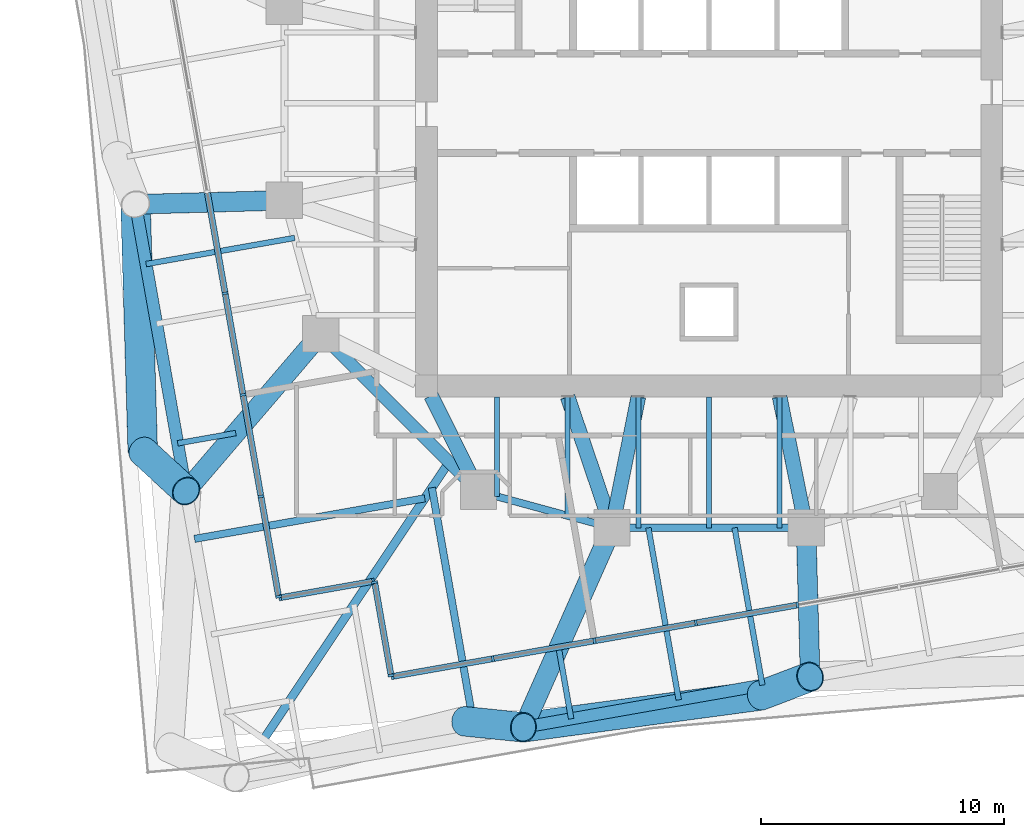
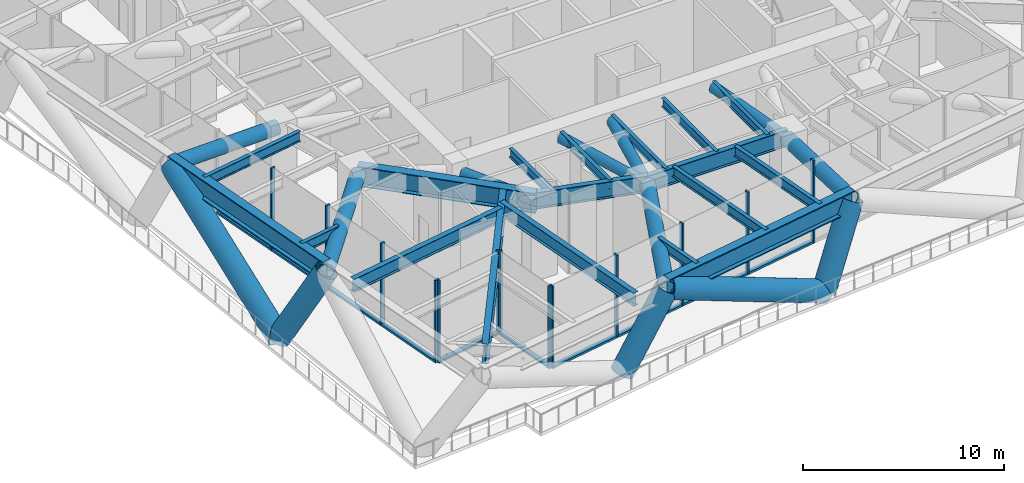
# One storey, part 2 of 15: 36 members, 18 beams, 4 elements without a shape of their own.
"""IFC4 building model written with IfcOpenShell, lengths in metres."""

from ifc_helpers import new_model, si_unit, direction, frame, origin, origin_2d, place, context, subcontext, project, spatial, rectangle, hollow_circle, i_section, extrude, material, material_profile, profile_set, type_object, element, aggregate, save


model = new_model("IFC4")

# Units and contexts
model_context = context("Model", 3, precision=1e-05, world=origin(), true_north=direction((0.0, 1.0)))
body_context = subcontext(model_context, "Body", "Model", "MODEL_VIEW")
ifc_project = project(units=[si_unit("LENGTHUNIT", "METRE"), si_unit("AREAUNIT", "SQUARE_METRE"), si_unit("VOLUMEUNIT", "CUBIC_METRE"), si_unit("PLANEANGLEUNIT", "RADIAN"), si_unit("MASSUNIT", "GRAM", prefix="KILO")], contexts=[model_context])

# Site, building, storey
site_placement = place(None, origin())
site = spatial("IfcSite", under=ifc_project, at=site_placement, CompositionType="ELEMENT")
building_placement = place(site_placement, origin())
building = spatial("IfcBuilding", under=site, at=building_placement, Name="Torsade Residences", CompositionType="ELEMENT")
storey_placement = place(building_placement, frame((0.0, 0.0, 74.39990234375)))
storey = spatial("IfcBuildingStorey", under=building, at=storey_placement, Name="L20", CompositionType="ELEMENT", Elevation=74.39990234375)

# Beams
ifc_material_1 = material(Name="Steel grade 300", Category="steel")
ifc_material_profile_1 = material_profile(ifc_material_1, i_section(OverallWidth=0.35009765625, OverallDepth=1.199951171875, WebThickness=0.01611328125, FlangeThickness=0.028076171875, at=origin_2d()), Name="1200WB278")
ifc_profile_set_1 = profile_set([ifc_material_profile_1], Name="Steel grade 300")
beam_type_1 = type_object("IfcBeamType", Name="CORNER GIRDER 1200WB278", PredefinedType="BEAM", material=ifc_profile_set_1)
beam_1_placement = place(storey_placement, frame((21.6474609375, 3.7900390625, 4.25), z_axis=(0.555847594236, 0.831284218533, 0.0), x_axis=(-0.831284218533, 0.555847594236, 0.0)))
element("IfcBeam", 1, at=beam_1_placement, inside=storey, type_object=beam_type_1, Name="Corner girder 01 L21", PredefinedType="BEAM", context=body_context, shape_type="SweptSolid", body=[
    extrude(i_section(OverallWidth=0.35009765625, OverallDepth=1.199951171875, WebThickness=0.01611328125, FlangeThickness=0.028076171875, at=origin_2d()), origin(), (0.0, 0.0, 1.0), 13.742431640625),
])
ifc_material_2 = material(Name="Steel grade 300", Category="steel")
ifc_material_profile_2 = material_profile(ifc_material_2, i_section(OverallWidth=0.208984375, OverallDepth=0.528076171875, WebThickness=0.009521484375, FlangeThickness=0.01318359375, FilletRadius=0.013916015625, at=origin_2d()), Name="530UB82.0")
ifc_profile_set_2 = profile_set([ifc_material_profile_2], Name="Steel grade 300")
beam_type_2 = type_object("IfcBeamType", Name="INNER FLOOR BEAM 530UB82.0", PredefinedType="JOIST", material=ifc_profile_set_2)
for number, where, z_axis, x_axis, name in (
    (2, (42.91259765625, 17.89990234375, 4.586181640625), (0.0, -1.0, 0.0), (1.0, 0.0, 0.0), "Inner floor beam IS03 L21"),
    (3, (40.0, 17.89990234375, 4.586181640625), (0.0, -1.0, 0.0), (1.0, 0.0, 0.0), "Inner floor beam IS04 L21"),
    (4, (37.08740234375, 17.89990234375, 4.586181640625), (0.0, -1.0, 0.0), (1.0, 0.0, 0.0), "Inner floor beam IS05 L21"),
):
    element("IfcBeam", number, at=place(storey_placement, frame(where, z_axis=z_axis, x_axis=x_axis)), inside=storey, type_object=beam_type_2, Name=name, PredefinedType="JOIST", context=body_context, shape_type="SweptSolid", body=[
        extrude(i_section(OverallWidth=0.208984375, OverallDepth=0.528076171875, WebThickness=0.009521484375, FlangeThickness=0.01318359375, FilletRadius=0.013916015625, at=origin_2d()), origin(), (0.0, 0.0, 1.0), 5.39990234375),
    ])
beam_2_placement = place(storey_placement, frame((34.175048828125, 17.89990234375, 4.586181640625), z_axis=(0.0, -1.0, 0.0), x_axis=(1.0, 0.0, 0.0)))
element("IfcBeam", 5, at=beam_2_placement, inside=storey, type_object=beam_type_2, Name="Inner floor beam IS06 L21", PredefinedType="JOIST", context=body_context, shape_type="SweptSolid", body=[
    extrude(i_section(OverallWidth=0.208984375, OverallDepth=0.528076171875, WebThickness=0.009521484375, FlangeThickness=0.01318359375, FilletRadius=0.013916015625, at=origin_2d()), origin(), (0.0, 0.0, 1.0), 4.902099609375),
])
beam_3_placement = place(storey_placement, frame((31.262451171875, 17.89990234375, 4.586181640625), z_axis=(0.0, -1.0, 0.0), x_axis=(1.0, 0.0, 0.0)))
element("IfcBeam", 6, at=beam_3_placement, inside=storey, type_object=beam_type_2, Name="Inner floor beam IS07 L21", PredefinedType="JOIST", context=body_context, shape_type="SweptSolid", body=[
    extrude(i_section(OverallWidth=0.208984375, OverallDepth=0.528076171875, WebThickness=0.009521484375, FlangeThickness=0.01318359375, FilletRadius=0.013916015625, at=origin_2d()), origin(), (0.0, 0.0, 1.0), 4.10791015625),
])
ifc_material_3 = material(Name="Steel grade 300", Category="steel")
ifc_material_profile_3 = material_profile(ifc_material_3, i_section(OverallWidth=0.5, OverallDepth=1.199951171875, WebThickness=0.01611328125, FlangeThickness=0.0400390625, at=origin_2d()), Name="1200WB455")
ifc_profile_set_3 = profile_set([ifc_material_profile_3], Name="Steel grade 300")
beam_type_3 = type_object("IfcBeamType", Name="RING CORNER GIRDER 1200WB455", PredefinedType="BEAM", material=ifc_profile_set_3)
beam_4_placement = place(storey_placement, frame((24.0, 20.5, 4.25), z_axis=(0.707106781187, -0.707106781187, 0.0), x_axis=(0.707106781187, 0.707106781187, 0.0)))
element("IfcBeam", 7, at=beam_4_placement, inside=storey, type_object=beam_type_3, Name="Ring girder IR11 L21", PredefinedType="BEAM", context=body_context, shape_type="SweptSolid", body=[
    extrude(i_section(OverallWidth=0.5, OverallDepth=1.199951171875, WebThickness=0.01611328125, FlangeThickness=0.0400390625, at=origin_2d()), origin(), (0.0, 0.0, 1.0), 9.1923828125),
])
ifc_material_4 = material(Name="Steel grade 300", Category="steel")
ifc_material_profile_4 = material_profile(ifc_material_4, i_section(OverallWidth=0.300048828125, OverallDepth=1.0, WebThickness=0.01611328125, FlangeThickness=0.028076171875, at=origin_2d()), Name="1000WB215")
ifc_profile_set_4 = profile_set([ifc_material_profile_4], Name="Steel grade 300")
beam_type_4 = type_object("IfcBeamType", Name="RING GIRDER 1000WB215", PredefinedType="BEAM", material=ifc_profile_set_4)
beam_5_placement = place(storey_placement, frame((30.5, 14.0, 4.35009765625), z_axis=(0.964763821238, -0.263117405792, 0.0), x_axis=(0.263117405792, 0.964763821238, 0.0)))
element("IfcBeam", 8, at=beam_5_placement, inside=storey, type_object=beam_type_4, Name="Ring girder IR12 L21", PredefinedType="BEAM", context=body_context, shape_type="SweptSolid", body=[
    extrude(i_section(OverallWidth=0.300048828125, OverallDepth=1.0, WebThickness=0.01611328125, FlangeThickness=0.028076171875, at=origin_2d()), origin(), (0.0, 0.0, 1.0), 5.700927734375),
])
beam_6_placement = place(storey_placement, frame((36.0, 12.5, 4.35009765625), z_axis=(1.0, 0.0, 0.0), x_axis=(0.0, 1.0, 0.0)))
element("IfcBeam", 9, at=beam_6_placement, inside=storey, type_object=beam_type_4, Name="Ring girder IR13 L21", PredefinedType="BEAM", context=body_context, shape_type="SweptSolid", body=[
    extrude(i_section(OverallWidth=0.300048828125, OverallDepth=1.0, WebThickness=0.01611328125, FlangeThickness=0.028076171875, at=origin_2d()), origin(), (0.0, 0.0, 1.0), 8.0),
])
ifc_material_5 = material(Name="Steel grade 300", Category="steel")
ifc_material_profile_5 = material_profile(ifc_material_5, i_section(OverallWidth=0.22900390625, OverallDepth=0.612060546875, WebThickness=0.011962890625, FlangeThickness=0.01953125, FilletRadius=0.013916015625, at=origin_2d()), Name="610UB125")
ifc_profile_set_5 = profile_set([ifc_material_profile_5], Name="Steel grade 300")
beam_type_5 = type_object("IfcBeamType", Name="SECONDARY BEAM 610UB125", PredefinedType="JOIST", material=ifc_profile_set_5)
beam_7_placement = place(storey_placement, frame((34.319580078125, 4.628173828125, 4.544189453125), z_axis=(-0.17370564578, 0.984797618104, 0.0), x_axis=(-0.984797618104, -0.17370564578, 0.0)))
element("IfcBeam", 10, at=beam_7_placement, inside=storey, type_object=beam_type_5, Name="Floor beam FS04 L21", PredefinedType="JOIST", context=body_context, shape_type="SweptSolid", body=[
    extrude(i_section(OverallWidth=0.22900390625, OverallDepth=0.612060546875, WebThickness=0.011962890625, FlangeThickness=0.01953125, FilletRadius=0.013916015625, at=origin_2d()), origin(), (0.0, 0.0, 1.0), 2.97119140625),
])
beam_8_placement = place(storey_placement, frame((38.751220703125, 5.40966796875, 4.544189453125), z_axis=(-0.173651855324, 0.984807104535, 0.0), x_axis=(-0.984807104535, -0.173651855324, 0.0)))
element("IfcBeam", 11, at=beam_8_placement, inside=storey, type_object=beam_type_5, Name="Floor beam FS05 L21", PredefinedType="JOIST", context=body_context, shape_type="SweptSolid", body=[
    extrude(i_section(OverallWidth=0.22900390625, OverallDepth=0.612060546875, WebThickness=0.011962890625, FlangeThickness=0.01953125, FilletRadius=0.013916015625, at=origin_2d()), origin(), (0.0, 0.0, 1.0), 7.19970703125),
])
beam_9_placement = place(storey_placement, frame((42.197998046875, 6.017333984375, 4.544189453125), z_axis=(-0.173647806501, 0.984807818459, 0.0), x_axis=(-0.984807818459, -0.173647806501, 0.0)))
element("IfcBeam", 12, at=beam_9_placement, inside=storey, type_object=beam_type_5, Name="Floor beam FS06 L21", PredefinedType="JOIST", context=body_context, shape_type="SweptSolid", body=[
    extrude(i_section(OverallWidth=0.22900390625, OverallDepth=0.612060546875, WebThickness=0.011962890625, FlangeThickness=0.01953125, FilletRadius=0.013916015625, at=origin_2d()), origin(), (0.0, 0.0, 1.0), 6.582763671875),
])
beam_10_placement = place(storey_placement, frame((16.798828125, 23.370361328125, 4.544189453125), z_axis=(0.984806474989, 0.173655425542, 0.0), x_axis=(-0.173655425542, 0.984806474989, 0.0)))
element("IfcBeam", 13, at=beam_10_placement, inside=storey, type_object=beam_type_5, Name="Floor beam FW07 L21", PredefinedType="JOIST", context=body_context, shape_type="SweptSolid", body=[
    extrude(i_section(OverallWidth=0.22900390625, OverallDepth=0.612060546875, WebThickness=0.011962890625, FlangeThickness=0.01953125, FilletRadius=0.013916015625, at=origin_2d()), origin(), (0.0, 0.0, 1.0), 6.21826171875),
])
beam_11_placement = place(storey_placement, frame((18.10107421875, 15.984375, 4.544189453125), z_axis=(0.984800736156, 0.173687967535, 0.0), x_axis=(-0.173687967535, 0.984800736156, 0.0)))
element("IfcBeam", 14, at=beam_11_placement, inside=storey, type_object=beam_type_5, Name="Floor beam FW09 L21", PredefinedType="JOIST", context=body_context, shape_type="SweptSolid", body=[
    extrude(i_section(OverallWidth=0.22900390625, OverallDepth=0.612060546875, WebThickness=0.011962890625, FlangeThickness=0.01953125, FilletRadius=0.013916015625, at=origin_2d()), origin(), (0.0, 0.0, 1.0), 2.431640625),
])
ifc_material_6 = material(Name="Steel grade 300", Category="steel")
ifc_material_profile_6 = material_profile(ifc_material_6, i_section(OverallWidth=0.300048828125, OverallDepth=0.800048828125, WebThickness=0.010009765625, FlangeThickness=0.02001953125, at=origin_2d()), Name="800WB146")
ifc_profile_set_6 = profile_set([ifc_material_profile_6], Name="Steel grade 300")
beam_type_6 = type_object("IfcBeamType", Name="SECONDARY BEAM 800WB146", PredefinedType="JOIST", material=ifc_profile_set_6)
beam_12_placement = place(storey_placement, frame((30.380126953125, 3.93359375, 4.4501953125), z_axis=(-0.173641751202, 0.98480888615, 0.0), x_axis=(-0.98480888615, -0.173641751202, 0.0)))
element("IfcBeam", 15, at=beam_12_placement, inside=storey, type_object=beam_type_6, Name="Floor beam FS03 L21", PredefinedType="JOIST", context=body_context, shape_type="SweptSolid", body=[
    extrude(i_section(OverallWidth=0.300048828125, OverallDepth=0.800048828125, WebThickness=0.010009765625, FlangeThickness=0.02001953125, at=origin_2d()), origin(), (0.0, 0.0, 1.0), 10.379150390625),
])
beam_13_placement = place(storey_placement, frame((18.795654296875, 12.045166015625, 4.4501953125), z_axis=(0.984809307086, 0.173639363846, 0.0), x_axis=(-0.173639363846, 0.984809307086, 0.0)))
element("IfcBeam", 16, at=beam_13_placement, inside=storey, type_object=beam_type_6, Name="Floor beam FW10 L21", PredefinedType="JOIST", context=body_context, shape_type="SweptSolid", body=[
    extrude(i_section(OverallWidth=0.300048828125, OverallDepth=0.800048828125, WebThickness=0.010009765625, FlangeThickness=0.02001953125, at=origin_2d()), origin(), (0.0, 0.0, 1.0), 9.636962890625),
])

# Members
ifc_material_7 = material(Name="Steel grade 450", Category="steel")
ifc_material_profile_7 = material_profile(ifc_material_7, hollow_circle(Radius=0.304931640625, WallThickness=0.01611328125, at=origin_2d()), Name="610.0x16.0CHS")
ifc_profile_set_7 = profile_set([ifc_material_profile_7], Name="Steel grade 450")
member_type_1 = type_object("IfcMemberType", Name="TRANSFER FLOOR BRACE 610.0x16.0CHS", PredefinedType="BRACE", material=ifc_profile_set_7)
member_1_placement = place(storey_placement, frame((30.5, 14.0, 4.25), z_axis=(-0.443105036702, 0.896469701914, 0.0), x_axis=(-0.896469701914, -0.443105036702, 0.0)))
element("IfcMember", 17, at=member_1_placement, inside=storey, type_object=member_type_1, Name="Transfer floor brace TT2 top IR12C", PredefinedType="BRACE", context=body_context, shape_type="SweptSolid", body=[
    extrude(hollow_circle(Radius=0.304931640625, WallThickness=0.01611328125, at=origin_2d()), origin(), (0.0, 0.0, 1.0), 4.40234375),
])
member_2_placement = place(storey_placement, frame((36.0, 12.5, 4.25), z_axis=(0.197299045909, 0.97976207845, 0.03375434957), x_axis=(-0.980320704809, 0.197411538983, 0.0)))
element("IfcMember", 18, at=member_2_placement, inside=storey, type_object=member_type_1, Name="Transfer floor brace TT2 top IR13IS05", PredefinedType="BRACE", context=body_context, shape_type="SweptSolid", body=[
    extrude(hollow_circle(Radius=0.304931640625, WallThickness=0.01611328125, at=origin_2d()), origin(), (0.0, 0.0, 1.0), 5.511474609375),
])
member_3_placement = place(storey_placement, frame((36.0, 12.5, 4.25), z_axis=(-0.319999474368, 0.946855969774, 0.032620682203), x_axis=(-0.947360151124, -0.320169867513, 0.0)))
element("IfcMember", 19, at=member_3_placement, inside=storey, type_object=member_type_1, Name="Transfer floor brace TT2 top IR13IS06", PredefinedType="BRACE", context=body_context, shape_type="SweptSolid", body=[
    extrude(hollow_circle(Radius=0.304931640625, WallThickness=0.01611328125, at=origin_2d()), origin(), (0.0, 0.0, 1.0), 5.702880859375),
])
member_4_placement = place(storey_placement, frame((44.0, 12.5, 4.25), z_axis=(-0.197299045909, 0.97976207845, 0.03375434957), x_axis=(-0.980320704809, -0.197411538983, 0.0)))
element("IfcMember", 20, at=member_4_placement, inside=storey, type_object=member_type_1, Name="Transfer floor brace TT2 top IR14IS03", PredefinedType="BRACE", context=body_context, shape_type="SweptSolid", body=[
    extrude(hollow_circle(Radius=0.304931640625, WallThickness=0.01611328125, at=origin_2d()), origin(), (0.0, 0.0, 1.0), 5.511474609375),
])
ifc_material_8 = material(Name="Steel grade 450", Category="steel")
ifc_material_profile_8 = material_profile(ifc_material_8, hollow_circle(Radius=0.406494140625, WallThickness=0.02490234375, at=origin_2d()), Name="813.0x25.0CHS")
ifc_profile_set_8 = profile_set([ifc_material_profile_8], Name="Steel grade 450")
member_type_2 = type_object("IfcMemberType", Name="TRANSFER FLOOR STRUT 813.0x25.0CHS", PredefinedType="STRUT", material=ifc_profile_set_8)
member_5_placement = place(storey_placement, frame((32.349853515625, 4.28076171875, 4.25), z_axis=(0.405873976228, 0.913929053822, 0.0), x_axis=(-0.913929053822, 0.405873976228, 0.0)))
element("IfcMember", 21, at=member_5_placement, inside=storey, type_object=member_type_2, Name="Transfer floor strut TT2 top 02IR13", PredefinedType="STRUT", context=body_context, shape_type="SweptSolid", body=[
    extrude(hollow_circle(Radius=0.406494140625, WallThickness=0.02490234375, at=origin_2d()), origin(), (0.0, 0.0, 1.0), 8.993408203125),
])
for number, where, z_axis, x_axis, name in (
    (22, (44.16748046875, 6.364501953125, 4.25), (-0.027286799774, 0.999627645955, 0.0), (-0.999627645955, -0.027286799774, 0.0), "Transfer floor strut TT2 top 03IR14"),
    (23, (16.364501953125, 25.83251953125, 4.25), (0.999627645955, 0.027286799774, 0.0), (-0.027286799774, 0.999627645955, 0.0), "Transfer floor strut TT2 top 15IR10"),
):
    element("IfcMember", number, at=place(storey_placement, frame(where, z_axis=z_axis, x_axis=x_axis)), inside=storey, type_object=member_type_2, Name=name, PredefinedType="STRUT", context=body_context, shape_type="SweptSolid", body=[
        extrude(hollow_circle(Radius=0.406494140625, WallThickness=0.02490234375, at=origin_2d()), origin(), (0.0, 0.0, 1.0), 6.1376953125),
    ])
member_6_placement = place(storey_placement, frame((18.448486328125, 14.0146484375, 4.25), z_axis=(0.650294298415, 0.759682384585, 0.0), x_axis=(-0.759682384585, 0.650294298415, 0.0)))
element("IfcMember", 24, at=member_6_placement, inside=storey, type_object=member_type_2, Name="Transfer floor strut TT2 top 16IR11", PredefinedType="STRUT", context=body_context, shape_type="SweptSolid", body=[
    extrude(hollow_circle(Radius=0.406494140625, WallThickness=0.02490234375, at=origin_2d()), origin(), (0.0, 0.0, 1.0), 8.536865234375),
])

# Curtain wall, members
ifc_material_9 = material(Name="Aluminium and glass", Category="aluminium")
curtain_wall_type = type_object("IfcCurtainWallType", Name="TRANSFER LEVEL CURTAIN WALL LOW ZONE", PredefinedType="NOTDEFINED", material=ifc_material_9)
curtain_wall_1_placement = place(storey_placement, origin())
curtain_wall_1 = element("IfcCurtainWall", 25, at=curtain_wall_1_placement, inside=storey, type_object=curtain_wall_type, Name="Curtain wall L20 face 1", PredefinedType="NOTDEFINED")
ifc_material_10 = material(Name="Aluminium mullion", Category="aluminium")
ifc_material_profile_9 = material_profile(ifc_material_10, rectangle(XDim=0.25, YDim=0.10009765625, at=origin_2d()), Name="TRANSFER LEVEL CURTAIN WALL MULLION 250x100")
ifc_profile_set_9 = profile_set([ifc_material_profile_9], Name="Aluminium mullion")
member_type_3 = type_object("IfcMemberType", Name="TRANSFER LEVEL CURTAIN WALL MULLION 250x100", PredefinedType="MULLION", material=ifc_profile_set_9)
member_7_placement = place(storey_placement, frame((26.9541015625, 6.375732421875, 0.0), z_axis=(0.0, 0.0, 1.0), x_axis=(-0.173648174504, 0.98480775357, 0.0)))
member_7 = element("IfcMember", 26, at=member_7_placement, type_object=member_type_3, Name="Mullion 1", PredefinedType="MULLION", context=body_context, shape_type="SweptSolid", body=[
    extrude(rectangle(XDim=0.25, YDim=0.10009765625, at=origin_2d()), origin(), (0.0, 0.0, 1.0), 5.0),
])
member_8_placement = place(storey_placement, frame((31.09033203125, 7.10498046875, 0.0), z_axis=(0.0, 0.0, 1.0), x_axis=(-0.173648174504, 0.98480775357, 0.0)))
member_8 = element("IfcMember", 27, at=member_8_placement, type_object=member_type_3, Name="Mullion 2", PredefinedType="MULLION", context=body_context, shape_type="SweptSolid", body=[
    extrude(rectangle(XDim=0.25, YDim=0.10009765625, at=origin_2d()), origin(), (0.0, 0.0, 1.0), 5.0),
])
member_9_placement = place(storey_placement, frame((35.275634765625, 7.843017578125, 0.0), z_axis=(0.0, 0.0, 1.0), x_axis=(-0.173648174504, 0.98480775357, 0.0)))
member_9 = element("IfcMember", 28, at=member_9_placement, type_object=member_type_3, Name="Mullion 3", PredefinedType="MULLION", context=body_context, shape_type="SweptSolid", body=[
    extrude(rectangle(XDim=0.25, YDim=0.10009765625, at=origin_2d()), origin(), (0.0, 0.0, 1.0), 5.0),
])
member_10_placement = place(storey_placement, frame((39.461181640625, 8.5810546875, 0.0), z_axis=(0.0, 0.0, 1.0), x_axis=(-0.173648174504, 0.98480775357, 0.0)))
member_10 = element("IfcMember", 29, at=member_10_placement, type_object=member_type_3, Name="Mullion 4", PredefinedType="MULLION", context=body_context, shape_type="SweptSolid", body=[
    extrude(rectangle(XDim=0.25, YDim=0.10009765625, at=origin_2d()), origin(), (0.0, 0.0, 1.0), 5.0),
])
member_11_placement = place(storey_placement, frame((43.646728515625, 9.319091796875, 0.0), z_axis=(0.0, 0.0, 1.0), x_axis=(-0.173648174504, 0.98480775357, 0.0)))
member_11 = element("IfcMember", 30, at=member_11_placement, type_object=member_type_3, Name="Mullion 5", PredefinedType="MULLION", context=body_context, shape_type="SweptSolid", body=[
    extrude(rectangle(XDim=0.25, YDim=0.10009765625, at=origin_2d()), origin(), (0.0, 0.0, 1.0), 5.0),
])

curtain_wall_2_placement = place(storey_placement, origin())
curtain_wall_2 = element("IfcCurtainWall", 31, at=curtain_wall_2_placement, inside=storey, type_object=curtain_wall_type, Name="Curtain wall L20 face 10", PredefinedType="NOTDEFINED")
member_12_placement = place(storey_placement, frame((20.05712890625, 22.16796875, 0.0), z_axis=(0.0, 0.0, 1.0), x_axis=(0.98480775357, 0.173648174504, 0.0)))
member_12 = element("IfcMember", 32, at=member_12_placement, type_object=member_type_3, Name="Mullion 6", PredefinedType="MULLION", context=body_context, shape_type="SweptSolid", body=[
    extrude(rectangle(XDim=0.25, YDim=0.10009765625, at=origin_2d()), origin(), (0.0, 0.0, 1.0), 5.0),
])
member_13_placement = place(storey_placement, frame((20.795166015625, 17.982421875, 0.0), z_axis=(0.0, 0.0, 1.0), x_axis=(0.98480775357, 0.173648174504, 0.0)))
member_13 = element("IfcMember", 33, at=member_13_placement, type_object=member_type_3, Name="Mullion 7", PredefinedType="MULLION", context=body_context, shape_type="SweptSolid", body=[
    extrude(rectangle(XDim=0.25, YDim=0.10009765625, at=origin_2d()), origin(), (0.0, 0.0, 1.0), 5.0),
])
member_14_placement = place(storey_placement, frame((21.532958984375, 13.797119140625, 0.0), z_axis=(0.0, 0.0, 1.0), x_axis=(0.98480775357, 0.173648174504, 0.0)))
member_14 = element("IfcMember", 34, at=member_14_placement, type_object=member_type_3, Name="Mullion 8", PredefinedType="MULLION", context=body_context, shape_type="SweptSolid", body=[
    extrude(rectangle(XDim=0.25, YDim=0.10009765625, at=origin_2d()), origin(), (0.0, 0.0, 1.0), 5.0),
])
member_15_placement = place(storey_placement, frame((22.262451171875, 9.660888671875, 0.0), z_axis=(0.0, 0.0, 1.0), x_axis=(0.98480775357, 0.173648174504, 0.0)))
member_15 = element("IfcMember", 35, at=member_15_placement, type_object=member_type_3, Name="Mullion 9", PredefinedType="MULLION", context=body_context, shape_type="SweptSolid", body=[
    extrude(rectangle(XDim=0.25, YDim=0.10009765625, at=origin_2d()), origin(), (0.0, 0.0, 1.0), 5.0),
])

curtain_wall_3_placement = place(storey_placement, origin())
curtain_wall_3 = element("IfcCurtainWall", 36, at=curtain_wall_3_placement, inside=storey, type_object=curtain_wall_type, Name="Curtain wall L20 face 11", PredefinedType="NOTDEFINED")
member_16_placement = place(storey_placement, frame((22.3203125, 9.620361328125, 0.0), z_axis=(0.0, 0.0, 1.0), x_axis=(-0.173648248327, 0.984807740553, 0.0)))
member_16 = element("IfcMember", 37, at=member_16_placement, type_object=member_type_3, Name="Mullion 1", PredefinedType="MULLION", context=body_context, shape_type="SweptSolid", body=[
    extrude(rectangle(XDim=0.25, YDim=0.10009765625, at=origin_2d()), origin(), (0.0, 0.0, 1.0), 5.0),
])
member_17_placement = place(storey_placement, frame((26.1611328125, 10.297607421875, 0.0), z_axis=(0.0, 0.0, 1.0), x_axis=(-0.173648248327, 0.984807740553, 0.0)))
member_17 = element("IfcMember", 38, at=member_17_placement, type_object=member_type_3, Name="Mullion 2", PredefinedType="MULLION", context=body_context, shape_type="SweptSolid", body=[
    extrude(rectangle(XDim=0.25, YDim=0.10009765625, at=origin_2d()), origin(), (0.0, 0.0, 1.0), 5.0),
])

curtain_wall_4_placement = place(storey_placement, origin())
curtain_wall_4 = element("IfcCurtainWall", 39, at=curtain_wall_4_placement, inside=storey, type_object=curtain_wall_type, Name="Curtain wall L20 face 12", PredefinedType="NOTDEFINED")
member_18_placement = place(storey_placement, frame((26.218994140625, 10.257080078125, 0.0), z_axis=(0.0, 0.0, 1.0), x_axis=(0.984807740553, 0.173648248327, 0.0)))
member_18 = element("IfcMember", 40, at=member_18_placement, type_object=member_type_3, Name="Mullion 1", PredefinedType="MULLION", context=body_context, shape_type="SweptSolid", body=[
    extrude(rectangle(XDim=0.25, YDim=0.10009765625, at=origin_2d()), origin(), (0.0, 0.0, 1.0), 5.0),
])
member_19_placement = place(storey_placement, frame((26.896240234375, 6.416259765625, 0.0), z_axis=(0.0, 0.0, 1.0), x_axis=(0.984807740553, 0.173648248327, 0.0)))
member_19 = element("IfcMember", 41, at=member_19_placement, type_object=member_type_3, Name="Mullion 2", PredefinedType="MULLION", context=body_context, shape_type="SweptSolid", body=[
    extrude(rectangle(XDim=0.25, YDim=0.10009765625, at=origin_2d()), origin(), (0.0, 0.0, 1.0), 5.0),
])

# Member
ifc_material_11 = material(Name="Aluminium transom", Category="aluminium")
ifc_material_profile_10 = material_profile(ifc_material_11, rectangle(XDim=0.25, YDim=0.1201171875, at=origin_2d()), Name="TRANSFER LEVEL CURTAIN WALL TRANSOM 250x120")
ifc_profile_set_10 = profile_set([ifc_material_profile_10], Name="Aluminium transom")
member_type_4 = type_object("IfcMemberType", Name="TRANSFER LEVEL CURTAIN WALL TRANSOM 250x120", PredefinedType="USERDEFINED", material=ifc_profile_set_10)
member_20_placement = place(storey_placement, frame((27.00341796875, 6.38427734375, 0.06005859375), z_axis=(0.984798541973, 0.173700407966, 0.0), x_axis=(-0.173700407966, 0.984798541973, 0.0)))
member_20 = element("IfcMember", 42, at=member_20_placement, type_object=member_type_4, Name="Transom 1.1", ObjectType="TRANSOM", PredefinedType="USERDEFINED", context=body_context, shape_type="SweptSolid", body=[
    extrude(rectangle(XDim=0.25, YDim=0.1201171875, at=origin_2d()), origin(), (0.0, 0.0, 1.0), 4.099853515625),
])

member_21_placement = place(storey_placement, frame((31.1396484375, 7.11376953125, 0.06005859375), z_axis=(0.984814931939, 0.173607459029, 0.0), x_axis=(-0.173607459029, 0.984814931939, 0.0)))
member_21 = element("IfcMember", 43, at=member_21_placement, type_object=member_type_4, Name="Transom 2.1", ObjectType="TRANSOM", PredefinedType="USERDEFINED", context=body_context, shape_type="SweptSolid", body=[
    extrude(rectangle(XDim=0.25, YDim=0.1201171875, at=origin_2d()), origin(), (0.0, 0.0, 1.0), 4.14990234375),
])

member_22_placement = place(storey_placement, frame((35.324951171875, 7.851806640625, 0.06005859375), z_axis=(0.984814931939, 0.173607459029, 0.0), x_axis=(-0.173607459029, 0.984814931939, 0.0)))
member_22 = element("IfcMember", 44, at=member_22_placement, type_object=member_type_4, Name="Transom 3.1", ObjectType="TRANSOM", PredefinedType="USERDEFINED", context=body_context, shape_type="SweptSolid", body=[
    extrude(rectangle(XDim=0.25, YDim=0.1201171875, at=origin_2d()), origin(), (0.0, 0.0, 1.0), 4.14990234375),
])

member_23_placement = place(storey_placement, frame((39.510498046875, 8.589599609375, 0.06005859375), z_axis=(0.984804872144, 0.173664515088, 0.0), x_axis=(-0.173664515088, 0.984804872144, 0.0)))
member_23 = element("IfcMember", 45, at=member_23_placement, type_object=member_type_4, Name="Transom 4.1", ObjectType="TRANSOM", PredefinedType="USERDEFINED", context=body_context, shape_type="SweptSolid", body=[
    extrude(rectangle(XDim=0.25, YDim=0.1201171875, at=origin_2d()), origin(), (0.0, 0.0, 1.0), 4.14990234375),
])

aggregate(curtain_wall_1, [member_7, member_8, member_9, member_10, member_11, member_20, member_21, member_22, member_23])

member_24_placement = place(storey_placement, frame((19.32763671875, 26.30419921875, 0.06005859375), z_axis=(0.173664515088, -0.984804872144, 0.0), x_axis=(0.984804872144, 0.173664515088, 0.0)))
member_24 = element("IfcMember", 46, at=member_24_placement, type_object=member_type_4, Name="Transom 5.1", ObjectType="TRANSOM", PredefinedType="USERDEFINED", context=body_context, shape_type="SweptSolid", body=[
    extrude(rectangle(XDim=0.25, YDim=0.1201171875, at=origin_2d()), origin(), (0.0, 0.0, 1.0), 4.14990234375),
])

member_25_placement = place(storey_placement, frame((20.065673828125, 22.11865234375, 0.06005859375), z_axis=(0.173664515088, -0.984804872144, 0.0), x_axis=(0.984804872144, 0.173664515088, 0.0)))
member_25 = element("IfcMember", 47, at=member_25_placement, type_object=member_type_4, Name="Transom 6.1", ObjectType="TRANSOM", PredefinedType="USERDEFINED", context=body_context, shape_type="SweptSolid", body=[
    extrude(rectangle(XDim=0.25, YDim=0.1201171875, at=origin_2d()), origin(), (0.0, 0.0, 1.0), 4.14990234375),
])

member_26_placement = place(storey_placement, frame((20.8037109375, 17.933349609375, 0.06005859375), z_axis=(0.173664515088, -0.984804872144, 0.0), x_axis=(0.984804872144, 0.173664515088, 0.0)))
member_26 = element("IfcMember", 48, at=member_26_placement, type_object=member_type_4, Name="Transom 7.1", ObjectType="TRANSOM", PredefinedType="USERDEFINED", context=body_context, shape_type="SweptSolid", body=[
    extrude(rectangle(XDim=0.25, YDim=0.1201171875, at=origin_2d()), origin(), (0.0, 0.0, 1.0), 4.14990234375),
])

member_27_placement = place(storey_placement, frame((21.541748046875, 13.747802734375, 0.06005859375), z_axis=(0.17364265611, -0.984808726596, 0.0), x_axis=(0.984808726596, 0.17364265611, 0.0)))
member_27 = element("IfcMember", 49, at=member_27_placement, type_object=member_type_4, Name="Transom 8.1", ObjectType="TRANSOM", PredefinedType="USERDEFINED", context=body_context, shape_type="SweptSolid", body=[
    extrude(rectangle(XDim=0.25, YDim=0.1201171875, at=origin_2d()), origin(), (0.0, 0.0, 1.0), 4.099853515625),
])

aggregate(curtain_wall_2, [member_12, member_13, member_14, member_15, member_24, member_25, member_26, member_27])

member_28_placement = place(storey_placement, frame((22.36962890625, 9.62890625, 0.06005859375), z_axis=(0.984804895775, 0.173664381086, 0.0), x_axis=(-0.173664381086, 0.984804895775, 0.0)))
member_28 = element("IfcMember", 50, at=member_28_placement, type_object=member_type_4, Name="Transom 1.1", ObjectType="TRANSOM", PredefinedType="USERDEFINED", context=body_context, shape_type="SweptSolid", body=[
    extrude(rectangle(XDim=0.25, YDim=0.1201171875, at=origin_2d()), origin(), (0.0, 0.0, 1.0), 3.800048828125),
])

aggregate(curtain_wall_3, [member_16, member_17, member_28])

member_29_placement = place(storey_placement, frame((26.2275390625, 10.207763671875, 0.06005859375), z_axis=(0.173664381086, -0.984804895775, 0.0), x_axis=(0.984804895775, 0.173664381086, 0.0)))
member_29 = element("IfcMember", 51, at=member_29_placement, type_object=member_type_4, Name="Transom 1.1", ObjectType="TRANSOM", PredefinedType="USERDEFINED", context=body_context, shape_type="SweptSolid", body=[
    extrude(rectangle(XDim=0.25, YDim=0.1201171875, at=origin_2d()), origin(), (0.0, 0.0, 1.0), 3.800048828125),
])

aggregate(curtain_wall_4, [member_18, member_19, member_29])

# Beams
ifc_material_12 = material(Name="Steel grade 350", Category="steel")
ifc_material_profile_11 = material_profile(ifc_material_12, i_section(OverallWidth=0.5, OverallDepth=1.199951171875, WebThickness=0.035888671875, FlangeThickness=0.06005859375, at=origin_2d()), Name="1200x500x60x36WPG")
ifc_profile_set_11 = profile_set([ifc_material_profile_11], Name="Steel grade 350")
beam_type_7 = type_object("IfcBeamType", Name="TRANSFER TRUSS CHORD 1200x500x60x36WPG", PredefinedType="USERDEFINED", material=ifc_profile_set_11)
beam_14_placement = place(storey_placement, frame((32.349853515625, 4.28076171875, 4.25), z_axis=(0.984808127031, 0.173646056486, 0.0), x_axis=(-0.173646056486, 0.984808127031, 0.0)))
element("IfcBeam", 52, at=beam_14_placement, inside=storey, type_object=beam_type_7, Name="Transfer truss TT2 top chord 02", ObjectType="TRANSFER TRUSS CHORD", PredefinedType="USERDEFINED", context=body_context, shape_type="SweptSolid", body=[
    extrude(i_section(OverallWidth=0.5, OverallDepth=1.199951171875, WebThickness=0.035888671875, FlangeThickness=0.06005859375, at=origin_2d()), origin(), (0.0, 0.0, 1.0), 12.0),
])
beam_15_placement = place(storey_placement, frame((16.364501953125, 25.83251953125, 4.25), z_axis=(0.173662308598, -0.984805261243, 0.0), x_axis=(0.984805261243, 0.173662308598, 0.0)))
element("IfcBeam", 53, at=beam_15_placement, inside=storey, type_object=beam_type_7, Name="Transfer truss TT2 top chord 15", ObjectType="TRANSFER TRUSS CHORD", PredefinedType="USERDEFINED", context=body_context, shape_type="SweptSolid", body=[
    extrude(i_section(OverallWidth=0.5, OverallDepth=1.199951171875, WebThickness=0.035888671875, FlangeThickness=0.06005859375, at=origin_2d()), origin(), (0.0, 0.0, 1.0), 12.000244140625),
])

# Members
ifc_material_13 = material(Name="Steel grade 450", Category="steel")
ifc_material_profile_12 = material_profile(ifc_material_13, hollow_circle(Radius=0.609619140625, WallThickness=0.0400390625, at=origin_2d()), Name="1219.0x40.0CHS")
ifc_profile_set_12 = profile_set([ifc_material_profile_12], Name="Steel grade 450")
member_type_5 = type_object("IfcMemberType", Name="TRANSFER TRUSS DIAGONAL 1219.0x40.0CHS", PredefinedType="BRACE", material=ifc_profile_set_12)
member_30_placement = place(storey_placement, frame((42.13525390625, 5.59326171875, -0.199951171875), z_axis=(-0.903584715554, -0.121196363135, 0.410908874789), x_axis=(0.132937915627, -0.991124366863, 0.0)))
element("IfcMember", 54, at=member_30_placement, inside=storey, type_object=member_type_5, Name="Transfer truss TT2 diagonal 02", PredefinedType="BRACE", context=body_context, shape_type="SweptSolid", body=[
    extrude(hollow_circle(Radius=0.609619140625, WallThickness=0.0400390625, at=origin_2d()), origin(), (0.0, 0.0, 1.0), 10.82958984375),
])
member_31_placement = place(storey_placement, frame((16.660888671875, 15.661376953125, -0.199951171875), z_axis=(-0.026687208848, 0.915828507263, 0.400681841576), x_axis=(-0.999575701474, -0.029127598992, 0.0)))
element("IfcMember", 55, at=member_31_placement, inside=storey, type_object=member_type_5, Name="Transfer truss TT2 diagonal 15", PredefinedType="BRACE", context=body_context, shape_type="SweptSolid", body=[
    extrude(hollow_circle(Radius=0.609619140625, WallThickness=0.0400390625, at=origin_2d()), origin(), (0.0, 0.0, 1.0), 11.10595703125),
])
ifc_material_14 = material(Name="Steel grade 450", Category="steel")
ifc_material_profile_13 = material_profile(ifc_material_14, hollow_circle(Radius=0.609619140625, WallThickness=0.0400390625, at=origin_2d()), Name="1219.0x40.0CHS")
ifc_profile_set_13 = profile_set([ifc_material_profile_13], Name="Steel grade 450")
member_type_6 = type_object("IfcMemberType", Name="TRANSFER TRUSS RAKING STRUT 1219.0x40.0CHS", PredefinedType="STRUT", material=ifc_profile_set_13)
member_32_placement = place(storey_placement, frame((29.931884765625, 4.525634765625, -0.199951171875), z_axis=(0.476882582508, -0.04829495459, 0.877639219646), x_axis=(0.100756847089, 0.994911080331, 0.0)))
element("IfcMember", 56, at=member_32_placement, inside=storey, type_object=member_type_6, Name="Transfer truss TT2 raking strut 02", PredefinedType="STRUT", context=body_context, shape_type="SweptSolid", body=[
    extrude(hollow_circle(Radius=0.609619140625, WallThickness=0.0400390625, at=origin_2d()), origin(), (0.0, 0.0, 1.0), 5.0703125),
])
member_33_placement = place(storey_placement, frame((42.13525390625, 5.59326171875, -0.199951171875), z_axis=(0.410347211286, 0.155728837152, 0.89853419271), x_axis=(-0.35481336597, 0.93493715047, 0.0)))
element("IfcMember", 57, at=member_33_placement, inside=storey, type_object=member_type_6, Name="Transfer truss TT2 raking strut 03", PredefinedType="STRUT", context=body_context, shape_type="SweptSolid", body=[
    extrude(hollow_circle(Radius=0.609619140625, WallThickness=0.0400390625, at=origin_2d()), origin(), (0.0, 0.0, 1.0), 4.952392578125),
])
member_34_placement = place(storey_placement, frame((16.660888671875, 15.661376953125, -0.199951171875), z_axis=(0.352553290164, -0.324770819742, 0.877627536167), x_axis=(0.677532958954, 0.735492412967, 0.0)))
element("IfcMember", 58, at=member_34_placement, inside=storey, type_object=member_type_6, Name="Transfer truss TT2 raking strut 16", PredefinedType="STRUT", context=body_context, shape_type="SweptSolid", body=[
    extrude(hollow_circle(Radius=0.609619140625, WallThickness=0.0400390625, at=origin_2d()), origin(), (0.0, 0.0, 1.0), 5.0703125),
])

save(model, "model.ifc")
